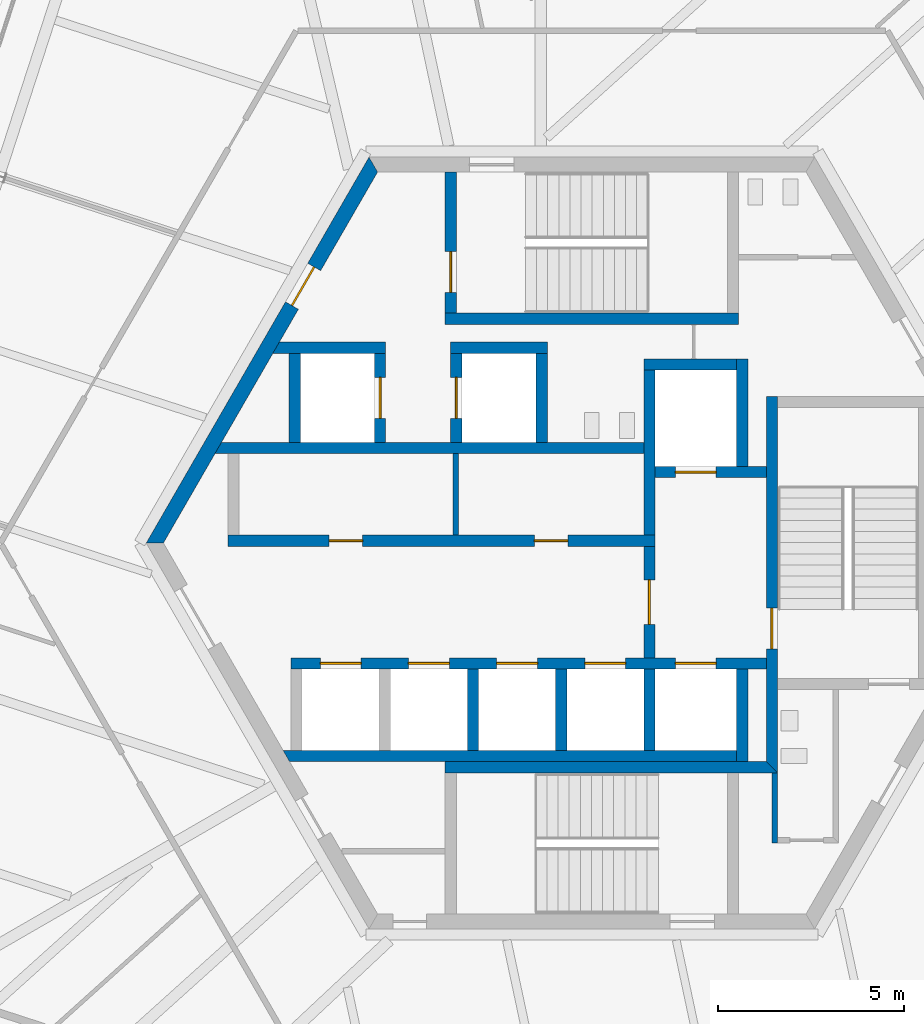
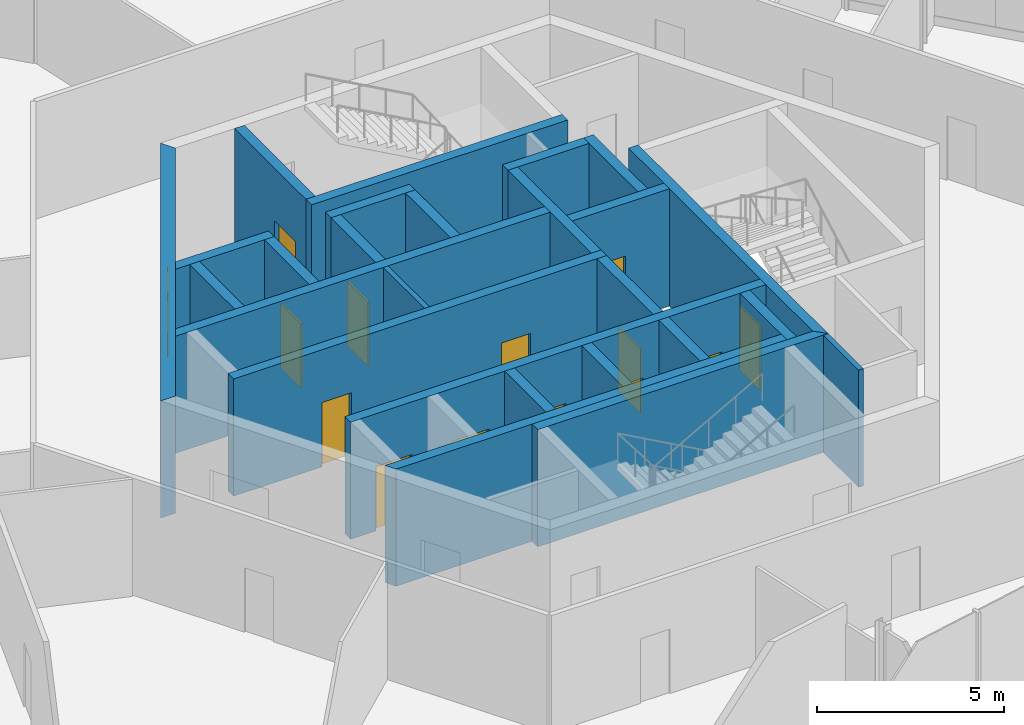
# One storey, part 11 of 17: 26 walls, 14 doors, 14 openings.
"""IFC4 building model written with IfcOpenShell, lengths in metres."""

from ifc_helpers import new_model, si_unit, direction, frame, frame_2d, origin, place, context, subcontext, project, spatial, polyline, rectangle, outline, extrude, source, transform, mapped, material, layer, layer_set, type_object, element, fill, save


model = new_model("IFC4")

# Units and contexts
model_context = context("Model", 3, precision=1e-05, world=origin(), true_north=direction((0.0, 1.0)))
body_context = subcontext(model_context, "Body", "Model", "MODEL_VIEW")
ifc_project = project(units=[si_unit("LENGTHUNIT", "METRE"), si_unit("AREAUNIT", "SQUARE_METRE"), si_unit("VOLUMEUNIT", "CUBIC_METRE"), si_unit("PLANEANGLEUNIT", "RADIAN"), si_unit("MASSUNIT", "GRAM", prefix="KILO")], contexts=[model_context])

# Site, building, storey
site_placement = place(None, origin())
site = spatial("IfcSite", under=ifc_project, at=site_placement, CompositionType="ELEMENT")
building_placement = place(site_placement, origin())
building = spatial("IfcBuilding", under=site, at=building_placement, Name="Triune Harvest Tower", CompositionType="ELEMENT")
storey_placement = place(building_placement, frame((0.0, 0.0, 288.699951171875)))
storey = spatial("IfcBuildingStorey", under=building, at=storey_placement, Name="L76", CompositionType="ELEMENT", Elevation=288.699951171875)

# Wall, opening, door
ifc_material_1 = material(Name="Concrete 70 MPa", Category="concrete")
ifc_layer_1 = layer(ifc_material_1, 0.39990234375)
ifc_layer_set_1 = layer_set([ifc_layer_1], Name="Concrete 70 MPa")
wall_type_1 = type_object("IfcWallType", Name="Core wall 400", PredefinedType="SHEAR", material=ifc_layer_set_1)
shared_shape_1 = source(origin(), body_context, "Body", "SweptSolid", [
    extrude(outline(polyline([(-0.115478515625, -0.199951171875), (11.884521484375, -0.199951171875), (11.653564453125, 0.199951171875), (0.115478515625, 0.199951171875), (-0.115478515625, -0.199951171875)])), origin(), (0.0, 0.0, 1.0), 3.820068359375),
])
wall_1_placement = place(storey_placement, frame((-5.884521484375, 10.1923828125, 0.0), z_axis=(0.0, 0.0, 1.0), x_axis=(-0.499996592174, -0.866027371285, 0.0)))
wall_1 = element("IfcWall", 1, at=wall_1_placement, inside=storey, type_object=wall_type_1, Name="Hexagon 2 wall", PredefinedType="SHEAR", context=body_context, shape_type="MappedRepresentation", body=[
    mapped(shared_shape_1, transform((0.0, 0.0, 0.0), scale=1.0)),
])
opening_1_placement = place(wall_1_placement, frame((3.1845703125, 0.0, 0.0)))
opening_1 = element("IfcOpeningElement", 2, at=opening_1_placement, cuts=wall_1, Name="Opening CD-SVP", PredefinedType="OPENING", context=body_context, shape_type="SweptSolid", body=[
    extrude(rectangle(XDim=1.199951171875, YDim=2.10009765625, at=frame_2d((0.60009765625, 1.050048828125))), frame((0.0, 0.2099609375, 0.0), z_axis=(0.0, -1.0, 0.0), x_axis=(1.0, 0.0, 0.0)), (0.0, 0.0, 1.0), 0.419921875),
])
ifc_material_2 = material(Name="Steel S235", Category="steel")
door_type_1 = type_object("IfcDoorType", Name="Service door 1200 FD120", OperationType="SINGLE_SWING_LEFT", PredefinedType="DOOR", material=ifc_material_2)
door_1_placement = place(opening_1_placement, frame((1.199951171875, 0.0, 0.0), z_axis=(0.0, 0.0, 1.0), x_axis=(-1.0, 0.0, 0.0)))
door_1 = element("IfcDoor", 3, at=door_1_placement, inside=storey, type_object=door_type_1, Name="Door CD-SVP", OperationType="SINGLE_SWING_RIGHT", OverallHeight=2.10009765625, OverallWidth=1.199951171875, PredefinedType="DOOR", context=body_context, shape_type="SweptSolid", body=[
    extrude(rectangle(XDim=1.199951171875, YDim=2.10009765625, at=frame_2d((0.60009765625, 1.050048828125))), frame((0.0, 0.02490234375, 0.0), z_axis=(0.0, -1.0, 0.0), x_axis=(1.0, 0.0, 0.0)), (0.0, 0.0, 1.0), 0.050048828125),
])
fill(opening_1, door_1)

# Wall, openings, doors
ifc_material_3 = material(Name="Concrete 70 MPa", Category="concrete")
ifc_layer_2 = layer(ifc_material_3, 0.300048828125)
ifc_layer_set_2 = layer_set([ifc_layer_2], Name="Concrete 70 MPa")
wall_type_2 = type_object("IfcWallType", Name="Core wall 300", PredefinedType="SHEAR", material=ifc_layer_set_2)
shared_shape_2 = source(origin(), body_context, "Body", "SweptSolid", [
    extrude(rectangle(XDim=11.5, YDim=0.300048828125, at=frame_2d((5.75, 0.0))), origin(), (0.0, 0.0, 1.0), 3.820068359375),
])
wall_2_placement = place(storey_placement, frame((-9.800048828125, 0.06005859375, 0.0), z_axis=(0.0, 0.0, 1.0), x_axis=(1.0, 0.0, 0.0)))
wall_2 = element("IfcWall", 4, at=wall_2_placement, inside=storey, type_object=wall_type_2, Name="North front wall", PredefinedType="SHEAR", context=body_context, shape_type="MappedRepresentation", body=[
    mapped(shared_shape_2, transform((0.0, 0.0, 0.0), scale=1.0)),
])
opening_2_placement = place(wall_2_placement, frame((2.7275390625, 0.0, 0.0)))
opening_2 = element("IfcOpeningElement", 5, at=opening_2_placement, cuts=wall_2, Name="Opening CD-RN1", PredefinedType="OPENING", context=body_context, shape_type="SweptSolid", body=[
    extrude(rectangle(XDim=0.89990234375, YDim=2.10009765625, at=frame_2d((0.449951171875, 1.050048828125))), frame((0.0, 0.16015625, 0.0), z_axis=(0.0, -1.0, 0.0), x_axis=(1.0, 0.0, 0.0)), (0.0, 0.0, 1.0), 0.320068359375),
])
opening_3_placement = place(wall_2_placement, frame((8.25244140625, 0.0, 0.0)))
opening_3 = element("IfcOpeningElement", 6, at=opening_3_placement, cuts=wall_2, Name="Opening CD-RN2", PredefinedType="OPENING", context=body_context, shape_type="SweptSolid", body=[
    extrude(rectangle(XDim=0.89990234375, YDim=2.10009765625, at=frame_2d((0.449951171875, 1.050048828125))), frame((0.0, 0.16015625, 0.0), z_axis=(0.0, -1.0, 0.0), x_axis=(1.0, 0.0, 0.0)), (0.0, 0.0, 1.0), 0.320068359375),
])
ifc_material_4 = material(Name="Steel S235", Category="steel")
door_type_2 = type_object("IfcDoorType", Name="Riser door 900 FD120", OperationType="SINGLE_SWING_LEFT", PredefinedType="DOOR", material=ifc_material_4)
door_2_placement = place(opening_2_placement, frame((0.89990234375, 0.0, 0.0), z_axis=(0.0, 0.0, 1.0), x_axis=(-1.0, 0.0, 0.0)))
door_2 = element("IfcDoor", 7, at=door_2_placement, inside=storey, type_object=door_type_2, Name="Door CD-RN1", OperationType="SINGLE_SWING_RIGHT", OverallHeight=2.10009765625, OverallWidth=0.89990234375, PredefinedType="DOOR", context=body_context, shape_type="SweptSolid", body=[
    extrude(rectangle(XDim=0.89990234375, YDim=2.10009765625, at=frame_2d((0.449951171875, 1.050048828125))), frame((0.0, 0.02490234375, 0.0), z_axis=(0.0, -1.0, 0.0), x_axis=(1.0, 0.0, 0.0)), (0.0, 0.0, 1.0), 0.050048828125),
])
fill(opening_2, door_2)
door_3_placement = place(opening_3_placement, frame((0.89990234375, 0.0, 0.0), z_axis=(0.0, 0.0, 1.0), x_axis=(-1.0, 0.0, 0.0)))
door_3 = element("IfcDoor", 8, at=door_3_placement, inside=storey, type_object=door_type_2, Name="Door CD-RN2", OperationType="SINGLE_SWING_RIGHT", OverallHeight=2.10009765625, OverallWidth=0.89990234375, PredefinedType="DOOR", context=body_context, shape_type="SweptSolid", body=[
    extrude(rectangle(XDim=0.89990234375, YDim=2.10009765625, at=frame_2d((0.449951171875, 1.050048828125))), frame((0.0, 0.02490234375, 0.0), z_axis=(0.0, -1.0, 0.0), x_axis=(1.0, 0.0, 0.0)), (0.0, 0.0, 1.0), 0.050048828125),
])
fill(opening_3, door_3)

# Walls
shared_shape_3 = source(origin(), body_context, "Body", "SweptSolid", [
    extrude(outline(polyline([(11.199951171875, -0.14990234375), (-0.34912109375, -0.14990234375), (-0.17578125, 0.14990234375), (11.199951171875, 0.14990234375), (11.199951171875, -0.14990234375)])), origin(), (0.0, 0.0, 1.0), 3.820068359375),
])
wall_3_placement = place(storey_placement, frame((-9.800048828125, 2.56005859375, 0.0), z_axis=(0.0, 0.0, 1.0), x_axis=(1.0, 0.0, 0.0)))
element("IfcWall", 9, at=wall_3_placement, inside=storey, type_object=wall_type_2, Name="North back wall", PredefinedType="SHEAR", context=body_context, shape_type="MappedRepresentation", body=[
    mapped(shared_shape_3, transform((0.0, 0.0, 0.0), scale=1.0)),
])
shared_shape_4 = source(origin(), body_context, "Body", "SweptSolid", [
    extrude(rectangle(XDim=2.5, YDim=0.300048828125, at=frame_2d((1.25, 0.0))), origin(), (0.0, 0.0, 1.0), 3.820068359375),
])
for number, where, z_axis, x_axis, name in (
    (10, (1.39990234375, 4.81005859375, 0.0), (0.0, 0.0, 1.0), (1.0, 0.0, 0.0), "Ff1 back wall"),
    (11, (4.050048828125, -5.889892578125, 0.0), (0.0, 0.0, 1.0), (0.0, 1.0, 0.0), "Ff2 east wall"),
):
    element("IfcWall", number, at=place(storey_placement, frame(where, z_axis=z_axis, x_axis=x_axis)), inside=storey, type_object=wall_type_2, Name=name, PredefinedType="SHEAR", context=body_context, shape_type="MappedRepresentation", body=[
        mapped(shared_shape_4, transform((0.0, 0.0, 0.0), scale=1.0)),
    ])
shared_shape_5 = source(origin(), body_context, "Body", "SweptSolid", [
    extrude(rectangle(XDim=4.449951171875, YDim=0.300048828125, at=frame_2d((2.22509765625, 0.0))), origin(), (0.0, 0.0, 1.0), 3.820068359375),
])
wall_4_placement = place(storey_placement, frame((1.550048828125, 0.2099609375, 0.0), z_axis=(0.0, 0.0, 1.0), x_axis=(0.0, 1.0, 0.0)))
element("IfcWall", 12, at=wall_4_placement, inside=storey, type_object=wall_type_2, Name="Ff1 west wall", PredefinedType="SHEAR", context=body_context, shape_type="MappedRepresentation", body=[
    mapped(shared_shape_5, transform((0.0, 0.0, 0.0), scale=1.0)),
])

# Wall, opening, door
shared_shape_6 = source(origin(), body_context, "Body", "SweptSolid", [
    extrude(rectangle(XDim=3.0, YDim=0.300048828125, at=frame_2d((1.5, 0.0))), origin(), (0.0, 0.0, 1.0), 3.820068359375),
])
wall_5_placement = place(storey_placement, frame((1.699951171875, 1.909912109375, 0.0), z_axis=(0.0, 0.0, 1.0), x_axis=(1.0, 0.0, 0.0)))
wall_5 = element("IfcWall", 13, at=wall_5_placement, inside=storey, type_object=wall_type_2, Name="Ff1 front wall", PredefinedType="SHEAR", context=body_context, shape_type="MappedRepresentation", body=[
    mapped(shared_shape_6, transform((0.0, 0.0, 0.0), scale=1.0)),
])
opening_4_placement = place(wall_5_placement, frame((0.550048828125, 0.0, 0.0)))
opening_4 = element("IfcOpeningElement", 14, at=opening_4_placement, cuts=wall_5, Name="Opening LD-FF1-76", PredefinedType="OPENING", context=body_context, shape_type="SweptSolid", body=[
    extrude(rectangle(XDim=1.10009765625, YDim=2.10009765625, at=frame_2d((0.550048828125, 1.050048828125))), frame((0.0, 0.16015625, 0.0), z_axis=(0.0, -1.0, 0.0), x_axis=(1.0, 0.0, 0.0)), (0.0, 0.0, 1.0), 0.320068359375),
])
ifc_material_5 = material(Name="Stainless steel AISI 304", Category="steel")
door_type_3 = type_object("IfcDoorType", Name="Landing door 1100 x 2100", OperationType="DOUBLE_DOOR_SLIDING", PredefinedType="DOOR", material=ifc_material_5)
door_4_placement = place(opening_4_placement, origin())
door_4 = element("IfcDoor", 15, at=door_4_placement, inside=storey, type_object=door_type_3, Name="Door LD-FF1-76", OperationType="DOUBLE_DOOR_SLIDING", OverallHeight=2.10009765625, OverallWidth=1.10009765625, PredefinedType="DOOR", context=body_context, shape_type="SweptSolid", body=[
    extrude(rectangle(XDim=1.10009765625, YDim=2.10009765625, at=frame_2d((0.550048828125, 1.050048828125))), frame((0.0, 0.02490234375, 0.0), z_axis=(0.0, -1.0, 0.0), x_axis=(1.0, 0.0, 0.0)), (0.0, 0.0, 1.0), 0.050048828125),
])
fill(opening_4, door_4)

wall_6_placement = place(storey_placement, frame((1.550048828125, -3.090087890625, 0.0), z_axis=(0.0, 0.0, 1.0), x_axis=(0.0, 1.0, 0.0)))
wall_6 = element("IfcWall", 16, at=wall_6_placement, inside=storey, type_object=wall_type_2, Name="Ff lobby west wall", PredefinedType="SHEAR", context=body_context, shape_type="MappedRepresentation", body=[
    mapped(shared_shape_6, transform((0.0, 0.0, 0.0), scale=1.0)),
])
opening_5_placement = place(wall_6_placement, frame((0.89990234375, 0.0, 0.0)))
opening_5 = element("IfcOpeningElement", 17, at=opening_5_placement, cuts=wall_6, Name="Opening CD-FL", PredefinedType="OPENING", context=body_context, shape_type="SweptSolid", body=[
    extrude(rectangle(XDim=1.199951171875, YDim=2.10009765625, at=frame_2d((0.60009765625, 1.050048828125))), frame((0.0, 0.16015625, 0.0), z_axis=(0.0, -1.0, 0.0), x_axis=(1.0, 0.0, 0.0)), (0.0, 0.0, 1.0), 0.320068359375),
])
ifc_material_6 = material(Name="Steel S235", Category="steel")
door_type_4 = type_object("IfcDoorType", Name="Firefighters' lobby door 1200 FD120", OperationType="SINGLE_SWING_LEFT", PredefinedType="DOOR", material=ifc_material_6)
door_5_placement = place(opening_5_placement, frame((1.199951171875, 0.0, 0.0), z_axis=(0.0, 0.0, 1.0), x_axis=(-1.0, 0.0, 0.0)))
door_5 = element("IfcDoor", 18, at=door_5_placement, inside=storey, type_object=door_type_4, Name="Door CD-FL", OperationType="SINGLE_SWING_RIGHT", OverallHeight=2.10009765625, OverallWidth=1.199951171875, PredefinedType="DOOR", context=body_context, shape_type="SweptSolid", body=[
    extrude(rectangle(XDim=1.199951171875, YDim=2.10009765625, at=frame_2d((0.60009765625, 1.050048828125))), frame((0.0, 0.02490234375, 0.0), z_axis=(0.0, -1.0, 0.0), x_axis=(1.0, 0.0, 0.0)), (0.0, 0.0, 1.0), 0.050048828125),
])
fill(opening_5, door_5)

# Wall
shared_shape_7 = source(origin(), body_context, "Body", "SweptSolid", [
    extrude(rectangle(XDim=2.89990234375, YDim=0.300048828125, at=frame_2d((1.449951171875, 0.0))), origin(), (0.0, 0.0, 1.0), 3.820068359375),
])
wall_7_placement = place(storey_placement, frame((4.050048828125, 2.06005859375, 0.0), z_axis=(0.0, 0.0, 1.0), x_axis=(0.0, 1.0, 0.0)))
element("IfcWall", 19, at=wall_7_placement, inside=storey, type_object=wall_type_2, Name="Ff1 east wall", PredefinedType="SHEAR", context=body_context, shape_type="MappedRepresentation", body=[
    mapped(shared_shape_7, transform((0.0, 0.0, 0.0), scale=1.0)),
])

# Wall, openings, doors
shared_shape_8 = source(origin(), body_context, "Body", "SweptSolid", [
    extrude(rectangle(XDim=12.800048828125, YDim=0.300048828125, at=frame_2d((6.39990234375, 0.0))), origin(), (0.0, 0.0, 1.0), 3.820068359375),
])
wall_8_placement = place(storey_placement, frame((-8.10009765625, -3.239990234375, 0.0), z_axis=(0.0, 0.0, 1.0), x_axis=(1.0, 0.0, 0.0)))
wall_8 = element("IfcWall", 20, at=wall_8_placement, inside=storey, type_object=wall_type_2, Name="South front wall", PredefinedType="SHEAR", context=body_context, shape_type="MappedRepresentation", body=[
    mapped(shared_shape_8, transform((0.0, 0.0, 0.0), scale=1.0)),
])
opening_6_placement = place(wall_8_placement, frame((0.78759765625, 0.0, 0.0)))
opening_6 = element("IfcOpeningElement", 21, at=opening_6_placement, cuts=wall_8, Name="Opening LD-HR1-76", PredefinedType="OPENING", context=body_context, shape_type="SweptSolid", body=[
    extrude(rectangle(XDim=1.10009765625, YDim=2.10009765625, at=frame_2d((0.550048828125, 1.050048828125))), frame((0.0, 0.16015625, 0.0), z_axis=(0.0, -1.0, 0.0), x_axis=(1.0, 0.0, 0.0)), (0.0, 0.0, 1.0), 0.320068359375),
])
opening_7_placement = place(wall_8_placement, frame((3.16259765625, 0.0, 0.0)))
opening_7 = element("IfcOpeningElement", 22, at=opening_7_placement, cuts=wall_8, Name="Opening LD-HR2-76", PredefinedType="OPENING", context=body_context, shape_type="SweptSolid", body=[
    extrude(rectangle(XDim=1.10009765625, YDim=2.10009765625, at=frame_2d((0.550048828125, 1.050048828125))), frame((0.0, 0.16015625, 0.0), z_axis=(0.0, -1.0, 0.0), x_axis=(1.0, 0.0, 0.0)), (0.0, 0.0, 1.0), 0.320068359375),
])
opening_8_placement = place(wall_8_placement, frame((5.53759765625, 0.0, 0.0)))
opening_8 = element("IfcOpeningElement", 23, at=opening_8_placement, cuts=wall_8, Name="Opening LD-HR3-76", PredefinedType="OPENING", context=body_context, shape_type="SweptSolid", body=[
    extrude(rectangle(XDim=1.10009765625, YDim=2.10009765625, at=frame_2d((0.550048828125, 1.050048828125))), frame((0.0, 0.16015625, 0.0), z_axis=(0.0, -1.0, 0.0), x_axis=(1.0, 0.0, 0.0)), (0.0, 0.0, 1.0), 0.320068359375),
])
opening_9_placement = place(wall_8_placement, frame((7.91259765625, 0.0, 0.0)))
opening_9 = element("IfcOpeningElement", 24, at=opening_9_placement, cuts=wall_8, Name="Opening LD-HR4-76", PredefinedType="OPENING", context=body_context, shape_type="SweptSolid", body=[
    extrude(rectangle(XDim=1.10009765625, YDim=2.10009765625, at=frame_2d((0.550048828125, 1.050048828125))), frame((0.0, 0.16015625, 0.0), z_axis=(0.0, -1.0, 0.0), x_axis=(1.0, 0.0, 0.0)), (0.0, 0.0, 1.0), 0.320068359375),
])
opening_10_placement = place(wall_8_placement, frame((10.35009765625, 0.0, 0.0)))
opening_10 = element("IfcOpeningElement", 25, at=opening_10_placement, cuts=wall_8, Name="Opening LD-FF2-76", PredefinedType="OPENING", context=body_context, shape_type="SweptSolid", body=[
    extrude(rectangle(XDim=1.10009765625, YDim=2.10009765625, at=frame_2d((0.550048828125, 1.050048828125))), frame((0.0, 0.16015625, 0.0), z_axis=(0.0, -1.0, 0.0), x_axis=(1.0, 0.0, 0.0)), (0.0, 0.0, 1.0), 0.320068359375),
])
door_6_placement = place(opening_6_placement, origin())
door_6 = element("IfcDoor", 26, at=door_6_placement, inside=storey, type_object=door_type_3, Name="Door LD-HR1-76", OperationType="DOUBLE_DOOR_SLIDING", OverallHeight=2.10009765625, OverallWidth=1.10009765625, PredefinedType="DOOR", context=body_context, shape_type="SweptSolid", body=[
    extrude(rectangle(XDim=1.10009765625, YDim=2.10009765625, at=frame_2d((0.550048828125, 1.050048828125))), frame((0.0, 0.02490234375, 0.0), z_axis=(0.0, -1.0, 0.0), x_axis=(1.0, 0.0, 0.0)), (0.0, 0.0, 1.0), 0.050048828125),
])
fill(opening_6, door_6)
door_7_placement = place(opening_7_placement, origin())
door_7 = element("IfcDoor", 27, at=door_7_placement, inside=storey, type_object=door_type_3, Name="Door LD-HR2-76", OperationType="DOUBLE_DOOR_SLIDING", OverallHeight=2.10009765625, OverallWidth=1.10009765625, PredefinedType="DOOR", context=body_context, shape_type="SweptSolid", body=[
    extrude(rectangle(XDim=1.10009765625, YDim=2.10009765625, at=frame_2d((0.550048828125, 1.050048828125))), frame((0.0, 0.02490234375, 0.0), z_axis=(0.0, -1.0, 0.0), x_axis=(1.0, 0.0, 0.0)), (0.0, 0.0, 1.0), 0.050048828125),
])
fill(opening_7, door_7)
door_8_placement = place(opening_8_placement, origin())
door_8 = element("IfcDoor", 28, at=door_8_placement, inside=storey, type_object=door_type_3, Name="Door LD-HR3-76", OperationType="DOUBLE_DOOR_SLIDING", OverallHeight=2.10009765625, OverallWidth=1.10009765625, PredefinedType="DOOR", context=body_context, shape_type="SweptSolid", body=[
    extrude(rectangle(XDim=1.10009765625, YDim=2.10009765625, at=frame_2d((0.550048828125, 1.050048828125))), frame((0.0, 0.02490234375, 0.0), z_axis=(0.0, -1.0, 0.0), x_axis=(1.0, 0.0, 0.0)), (0.0, 0.0, 1.0), 0.050048828125),
])
fill(opening_8, door_8)
door_9_placement = place(opening_9_placement, origin())
door_9 = element("IfcDoor", 29, at=door_9_placement, inside=storey, type_object=door_type_3, Name="Door LD-HR4-76", OperationType="DOUBLE_DOOR_SLIDING", OverallHeight=2.10009765625, OverallWidth=1.10009765625, PredefinedType="DOOR", context=body_context, shape_type="SweptSolid", body=[
    extrude(rectangle(XDim=1.10009765625, YDim=2.10009765625, at=frame_2d((0.550048828125, 1.050048828125))), frame((0.0, 0.02490234375, 0.0), z_axis=(0.0, -1.0, 0.0), x_axis=(1.0, 0.0, 0.0)), (0.0, 0.0, 1.0), 0.050048828125),
])
fill(opening_9, door_9)
door_10_placement = place(opening_10_placement, origin())
door_10 = element("IfcDoor", 30, at=door_10_placement, inside=storey, type_object=door_type_3, Name="Door LD-FF2-76", OperationType="DOUBLE_DOOR_SLIDING", OverallHeight=2.10009765625, OverallWidth=1.10009765625, PredefinedType="DOOR", context=body_context, shape_type="SweptSolid", body=[
    extrude(rectangle(XDim=1.10009765625, YDim=2.10009765625, at=frame_2d((0.550048828125, 1.050048828125))), frame((0.0, 0.02490234375, 0.0), z_axis=(0.0, -1.0, 0.0), x_axis=(1.0, 0.0, 0.0)), (0.0, 0.0, 1.0), 0.050048828125),
])
fill(opening_10, door_10)

# Walls
shared_shape_9 = source(origin(), body_context, "Body", "SweptSolid", [
    extrude(outline(polyline([(12.0, -0.14990234375), (-0.039794921875, -0.14990234375), (-0.212890625, 0.14990234375), (12.0, 0.14990234375), (12.0, -0.14990234375)])), origin(), (0.0, 0.0, 1.0), 3.820068359375),
])
wall_9_placement = place(storey_placement, frame((-8.10009765625, -5.739990234375, 0.0), z_axis=(0.0, 0.0, 1.0), x_axis=(1.0, 0.0, 0.0)))
element("IfcWall", 31, at=wall_9_placement, inside=storey, type_object=wall_type_2, Name="South back wall", PredefinedType="SHEAR", context=body_context, shape_type="MappedRepresentation", body=[
    mapped(shared_shape_9, transform((0.0, 0.0, 0.0), scale=1.0)),
])
shared_shape_10 = source(origin(), body_context, "Body", "SweptSolid", [
    extrude(rectangle(XDim=2.2001953125, YDim=0.300048828125, at=frame_2d((1.10009765625, 0.0))), origin(), (0.0, 0.0, 1.0), 3.820068359375),
])
for number, where, z_axis, x_axis, name in (
    (32, (1.550048828125, -5.590087890625, 0.0), (0.0, 0.0, 1.0), (0.0, 1.0, 0.0), "Ff2 west wall"),
    (33, (-3.199951171875, -5.590087890625, 0.0), (0.0, 0.0, 1.0), (0.0, 1.0, 0.0), "South cross 2 wall"),
    (34, (-0.824951171875, -5.590087890625, 0.0), (0.0, 0.0, 1.0), (0.0, 1.0, 0.0), "South cross 3 wall"),
):
    element("IfcWall", number, at=place(storey_placement, frame(where, z_axis=z_axis, x_axis=x_axis)), inside=storey, type_object=wall_type_2, Name=name, PredefinedType="SHEAR", context=body_context, shape_type="MappedRepresentation", body=[
        mapped(shared_shape_10, transform((0.0, 0.0, 0.0), scale=1.0)),
    ])

# Wall, opening, door
shared_shape_11 = source(origin(), body_context, "Body", "SweptSolid", [
    extrude(outline(polyline([(-0.14990234375, -0.14990234375), (9.989990234375, -0.14990234375), (9.989990234375, 0.14990234375), (0.14990234375, 0.14990234375), (-0.14990234375, -0.14990234375)])), origin(), (0.0, 0.0, 1.0), 3.820068359375),
])
wall_10_placement = place(storey_placement, frame((4.85009765625, -6.0400390625, 0.0), z_axis=(0.0, 0.0, 1.0), x_axis=(0.0, 1.0, 0.0)))
wall_10 = element("IfcWall", 35, at=wall_10_placement, inside=storey, type_object=wall_type_2, Name="Stair e west wall", PredefinedType="SHEAR", context=body_context, shape_type="MappedRepresentation", body=[
    mapped(shared_shape_11, transform((0.0, 0.0, 0.0), scale=1.0)),
])
opening_11_placement = place(wall_10_placement, frame((3.18994140625, 0.0, 0.0)))
opening_11 = element("IfcOpeningElement", 36, at=opening_11_placement, cuts=wall_10, Name="Opening CD-S3L", PredefinedType="OPENING", context=body_context, shape_type="SweptSolid", body=[
    extrude(rectangle(XDim=1.10009765625, YDim=2.10009765625, at=frame_2d((0.550048828125, 1.050048828125))), frame((0.0, 0.16015625, 0.0), z_axis=(0.0, -1.0, 0.0), x_axis=(1.0, 0.0, 0.0)), (0.0, 0.0, 1.0), 0.320068359375),
])
ifc_material_7 = material(Name="Steel S235", Category="steel")
door_type_5 = type_object("IfcDoorType", Name="Stair door 1100 FD120", OperationType="SINGLE_SWING_LEFT", PredefinedType="DOOR", material=ifc_material_7)
door_11_placement = place(opening_11_placement, frame((1.10009765625, 0.0, 0.0), z_axis=(0.0, 0.0, 1.0), x_axis=(-1.0, 0.0, 0.0)))
door_11 = element("IfcDoor", 37, at=door_11_placement, inside=storey, type_object=door_type_5, Name="Door CD-S3L", OperationType="SINGLE_SWING_RIGHT", OverallHeight=2.10009765625, OverallWidth=1.10009765625, PredefinedType="DOOR", context=body_context, shape_type="SweptSolid", body=[
    extrude(rectangle(XDim=1.10009765625, YDim=2.10009765625, at=frame_2d((0.550048828125, 1.050048828125))), frame((0.0, 0.02490234375, 0.0), z_axis=(0.0, -1.0, 0.0), x_axis=(1.0, 0.0, 0.0)), (0.0, 0.0, 1.0), 0.050048828125),
])
fill(opening_11, door_11)

# Wall
shared_shape_12 = source(origin(), body_context, "Body", "SweptSolid", [
    extrude(rectangle(XDim=7.89990234375, YDim=0.300048828125, at=frame_2d((3.949951171875, 0.0))), origin(), (0.0, 0.0, 1.0), 3.820068359375),
])
wall_11_placement = place(storey_placement, frame((-3.949951171875, 6.0400390625, 0.0), z_axis=(0.0, 0.0, 1.0), x_axis=(1.0, 0.0, 0.0)))
element("IfcWall", 38, at=wall_11_placement, inside=storey, type_object=wall_type_2, Name="Stair n south wall", PredefinedType="SHEAR", context=body_context, shape_type="MappedRepresentation", body=[
    mapped(shared_shape_12, transform((0.0, 0.0, 0.0), scale=1.0)),
])

# Wall, opening, door
shared_shape_13 = source(origin(), body_context, "Body", "SweptSolid", [
    extrude(outline(polyline([(0.0, -0.14990234375), (0.0, 0.14990234375), (3.80419921875, 0.14990234375), (3.80419921875, -0.14990234375), (0.0, -0.14990234375)])), origin(), (0.0, 0.0, 1.0), 3.820068359375),
])
wall_12_placement = place(storey_placement, frame((-3.800048828125, 6.18994140625, 0.0), z_axis=(0.0, 0.0, 1.0), x_axis=(0.0, 1.0, 0.0)))
wall_12 = element("IfcWall", 39, at=wall_12_placement, inside=storey, type_object=wall_type_2, Name="Stair n west wall", PredefinedType="SHEAR", context=body_context, shape_type="MappedRepresentation", body=[
    mapped(shared_shape_13, transform((0.0, 0.0, 0.0), scale=1.0)),
])
opening_12_placement = place(wall_12_placement, frame((0.56005859375, 0.0, 0.0)))
opening_12 = element("IfcOpeningElement", 40, at=opening_12_placement, cuts=wall_12, Name="Opening CD-S1L", PredefinedType="OPENING", context=body_context, shape_type="SweptSolid", body=[
    extrude(rectangle(XDim=1.10009765625, YDim=2.10009765625, at=frame_2d((0.550048828125, 1.050048828125))), frame((0.0, 0.16015625, 0.0), z_axis=(0.0, -1.0, 0.0), x_axis=(1.0, 0.0, 0.0)), (0.0, 0.0, 1.0), 0.320068359375),
])
door_12_placement = place(opening_12_placement, frame((1.10009765625, 0.0, 0.0), z_axis=(0.0, 0.0, 1.0), x_axis=(-1.0, 0.0, 0.0)))
door_12 = element("IfcDoor", 41, at=door_12_placement, inside=storey, type_object=door_type_5, Name="Door CD-S1L", OperationType="SINGLE_SWING_RIGHT", OverallHeight=2.10009765625, OverallWidth=1.10009765625, PredefinedType="DOOR", context=body_context, shape_type="SweptSolid", body=[
    extrude(rectangle(XDim=1.10009765625, YDim=2.10009765625, at=frame_2d((0.550048828125, 1.050048828125))), frame((0.0, 0.02490234375, 0.0), z_axis=(0.0, -1.0, 0.0), x_axis=(1.0, 0.0, 0.0)), (0.0, 0.0, 1.0), 0.050048828125),
])
fill(opening_12, door_12)

# Walls
shared_shape_14 = source(origin(), body_context, "Body", "SweptSolid", [
    extrude(outline(polyline([(0.0, -0.14990234375), (8.949951171875, -0.14990234375), (8.64990234375, 0.14990234375), (0.0, 0.14990234375), (0.0, -0.14990234375)])), origin(), (0.0, 0.0, 1.0), 3.820068359375),
])
wall_13_placement = place(storey_placement, frame((-3.949951171875, -6.0400390625, 0.0), z_axis=(0.0, 0.0, 1.0), x_axis=(1.0, 0.0, 0.0)))
element("IfcWall", 42, at=wall_13_placement, inside=storey, type_object=wall_type_2, Name="Stair s north wall", PredefinedType="SHEAR", context=body_context, shape_type="MappedRepresentation", body=[
    mapped(shared_shape_14, transform((0.0, 0.0, 0.0), scale=1.0)),
])
shared_shape_15 = source(origin(), body_context, "Body", "SweptSolid", [
    extrude(outline(polyline([(2.60009765625, -0.14990234375), (-0.440185546875, -0.14990234375), (-0.26708984375, 0.14990234375), (2.60009765625, 0.14990234375), (2.60009765625, -0.14990234375)])), origin(), (0.0, 0.0, 1.0), 3.820068359375),
])
wall_14_placement = place(storey_placement, frame((-8.14990234375, 5.260009765625, 0.0), z_axis=(0.0, 0.0, 1.0), x_axis=(1.0, 0.0, 0.0)))
element("IfcWall", 43, at=wall_14_placement, inside=storey, type_object=wall_type_2, Name="Sv1 north wall", PredefinedType="SHEAR", context=body_context, shape_type="MappedRepresentation", body=[
    mapped(shared_shape_15, transform((0.0, 0.0, 0.0), scale=1.0)),
])
shared_shape_16 = source(origin(), body_context, "Body", "SweptSolid", [
    extrude(rectangle(XDim=2.400146484375, YDim=0.300048828125, at=frame_2d((1.2001953125, 0.0))), origin(), (0.0, 0.0, 1.0), 3.820068359375),
])
wall_15_placement = place(storey_placement, frame((-8.0, 2.7099609375, 0.0), z_axis=(0.0, 0.0, 1.0), x_axis=(0.0, 1.0, 0.0)))
element("IfcWall", 44, at=wall_15_placement, inside=storey, type_object=wall_type_2, Name="Sv1 west wall", PredefinedType="SHEAR", context=body_context, shape_type="MappedRepresentation", body=[
    mapped(shared_shape_16, transform((0.0, 0.0, 0.0), scale=1.0)),
])

# Wall, opening, door
wall_16_placement = place(storey_placement, frame((-5.699951171875, 2.7099609375, 0.0), z_axis=(0.0, 0.0, 1.0), x_axis=(0.0, 1.0, 0.0)))
wall_16 = element("IfcWall", 45, at=wall_16_placement, inside=storey, type_object=wall_type_2, Name="Sv1 east wall", PredefinedType="SHEAR", context=body_context, shape_type="MappedRepresentation", body=[
    mapped(shared_shape_16, transform((0.0, 0.0, 0.0), scale=1.0)),
])
opening_13_placement = place(wall_16_placement, frame((0.64990234375, 0.0, 0.0)))
opening_13 = element("IfcOpeningElement", 46, at=opening_13_placement, cuts=wall_16, Name="Opening LD-SV1-76", PredefinedType="OPENING", context=body_context, shape_type="SweptSolid", body=[
    extrude(rectangle(XDim=1.10009765625, YDim=2.10009765625, at=frame_2d((0.550048828125, 1.050048828125))), frame((0.0, 0.16015625, 0.0), z_axis=(0.0, -1.0, 0.0), x_axis=(1.0, 0.0, 0.0)), (0.0, 0.0, 1.0), 0.320068359375),
])
door_13_placement = place(opening_13_placement, origin())
door_13 = element("IfcDoor", 47, at=door_13_placement, inside=storey, type_object=door_type_3, Name="Door LD-SV1-76", OperationType="DOUBLE_DOOR_SLIDING", OverallHeight=2.10009765625, OverallWidth=1.10009765625, PredefinedType="DOOR", context=body_context, shape_type="SweptSolid", body=[
    extrude(rectangle(XDim=1.10009765625, YDim=2.10009765625, at=frame_2d((0.550048828125, 1.050048828125))), frame((0.0, 0.02490234375, 0.0), z_axis=(0.0, -1.0, 0.0), x_axis=(1.0, 0.0, 0.0)), (0.0, 0.0, 1.0), 0.050048828125),
])
fill(opening_13, door_13)

wall_17_placement = place(storey_placement, frame((-3.64990234375, 2.7099609375, 0.0), z_axis=(0.0, 0.0, 1.0), x_axis=(0.0, 1.0, 0.0)))
wall_17 = element("IfcWall", 48, at=wall_17_placement, inside=storey, type_object=wall_type_2, Name="Sv2 west wall", PredefinedType="SHEAR", context=body_context, shape_type="MappedRepresentation", body=[
    mapped(shared_shape_16, transform((0.0, 0.0, 0.0), scale=1.0)),
])
opening_14_placement = place(wall_17_placement, frame((0.64990234375, 0.0, 0.0)))
opening_14 = element("IfcOpeningElement", 49, at=opening_14_placement, cuts=wall_17, Name="Opening LD-SV2-76", PredefinedType="OPENING", context=body_context, shape_type="SweptSolid", body=[
    extrude(rectangle(XDim=1.10009765625, YDim=2.10009765625, at=frame_2d((0.550048828125, 1.050048828125))), frame((0.0, 0.16015625, 0.0), z_axis=(0.0, -1.0, 0.0), x_axis=(1.0, 0.0, 0.0)), (0.0, 0.0, 1.0), 0.320068359375),
])
door_14_placement = place(opening_14_placement, origin())
door_14 = element("IfcDoor", 50, at=door_14_placement, inside=storey, type_object=door_type_3, Name="Door LD-SV2-76", OperationType="DOUBLE_DOOR_SLIDING", OverallHeight=2.10009765625, OverallWidth=1.10009765625, PredefinedType="DOOR", context=body_context, shape_type="SweptSolid", body=[
    extrude(rectangle(XDim=1.10009765625, YDim=2.10009765625, at=frame_2d((0.550048828125, 1.050048828125))), frame((0.0, 0.02490234375, 0.0), z_axis=(0.0, -1.0, 0.0), x_axis=(1.0, 0.0, 0.0)), (0.0, 0.0, 1.0), 0.050048828125),
])
fill(opening_14, door_14)

# Walls
wall_18_placement = place(storey_placement, frame((-1.35009765625, 2.7099609375, 0.0), z_axis=(0.0, 0.0, 1.0), x_axis=(0.0, 1.0, 0.0)))
element("IfcWall", 51, at=wall_18_placement, inside=storey, type_object=wall_type_2, Name="Sv2 east wall", PredefinedType="SHEAR", context=body_context, shape_type="MappedRepresentation", body=[
    mapped(shared_shape_16, transform((0.0, 0.0, 0.0), scale=1.0)),
])
shared_shape_17 = source(origin(), body_context, "Body", "SweptSolid", [
    extrude(rectangle(XDim=2.60009765625, YDim=0.300048828125, at=frame_2d((1.300048828125, 0.0))), origin(), (0.0, 0.0, 1.0), 3.820068359375),
])
wall_19_placement = place(storey_placement, frame((-3.800048828125, 5.260009765625, 0.0), z_axis=(0.0, 0.0, 1.0), x_axis=(1.0, 0.0, 0.0)))
element("IfcWall", 52, at=wall_19_placement, inside=storey, type_object=wall_type_2, Name="Sv2 north wall", PredefinedType="SHEAR", context=body_context, shape_type="MappedRepresentation", body=[
    mapped(shared_shape_17, transform((0.0, 0.0, 0.0), scale=1.0)),
])
ifc_material_8 = material(Name="Concrete masonry unit", Category="masonry")
ifc_layer_3 = layer(ifc_material_8, 0.14990234375)
ifc_layer_set_3 = layer_set([ifc_layer_3], Name="Concrete masonry unit")
wall_type_3 = type_object("IfcWallType", Name="Block partition 150", PredefinedType="PARTITIONING", material=ifc_layer_set_3)
shared_shape_18 = source(origin(), body_context, "Body", "SweptSolid", [
    extrude(rectangle(XDim=2.199951171875, YDim=0.14990234375, at=frame_2d((1.10009765625, 0.0))), origin(), (0.0, 0.0, 1.0), 3.820068359375),
])
wall_20_placement = place(storey_placement, frame((-3.669921875, 0.2099609375, 0.0), z_axis=(0.0, 0.0, 1.0), x_axis=(0.0, 1.0, 0.0)))
element("IfcWall", 53, at=wall_20_placement, inside=storey, type_object=wall_type_3, Name="Row n part 1 wall", PredefinedType="PARTITIONING", context=body_context, shape_type="MappedRepresentation", body=[
    mapped(shared_shape_18, transform((0.0, 0.0, 0.0), scale=1.0)),
])
ifc_material_9 = material(Name="Concrete masonry unit", Category="masonry")
ifc_layer_4 = layer(ifc_material_9, 0.14990234375)
ifc_layer_set_4 = layer_set([ifc_layer_4], Name="Concrete masonry unit")
wall_type_4 = type_object("IfcWallType", Name="Block partition 150 unrated", PredefinedType="PARTITIONING", material=ifc_layer_set_4)
shared_shape_19 = source(origin(), body_context, "Body", "SweptSolid", [
    extrude(rectangle(XDim=1.885009765625, YDim=0.14990234375, at=frame_2d((0.9423828125, 0.0))), origin(), (0.0, 0.0, 1.0), 3.820068359375),
])
wall_21_placement = place(storey_placement, frame((4.925048828125, -8.074951171875, 0.0), z_axis=(0.0, 0.0, 1.0), x_axis=(0.0, 1.0, 0.0)))
element("IfcWall", 54, at=wall_21_placement, inside=storey, type_object=wall_type_4, Name="Wc acc west wall", PredefinedType="PARTITIONING", context=body_context, shape_type="MappedRepresentation", body=[
    mapped(shared_shape_19, transform((0.0, 0.0, 0.0), scale=1.0)),
])

save(model, "model.ifc")
